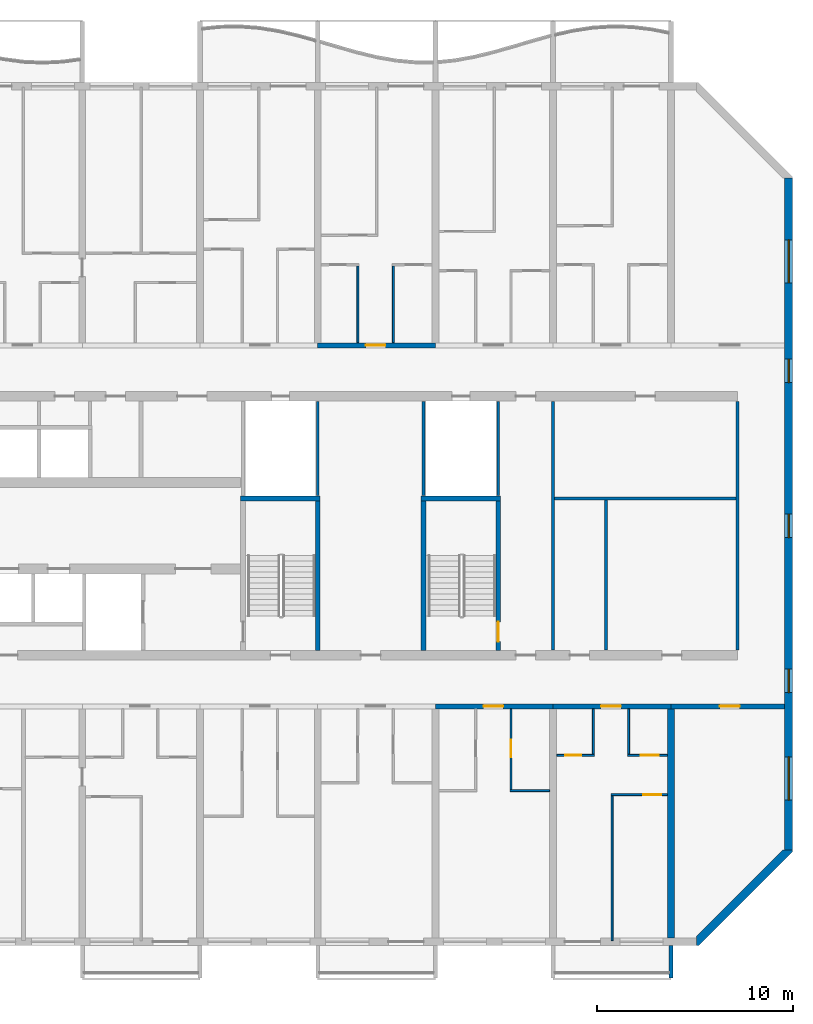
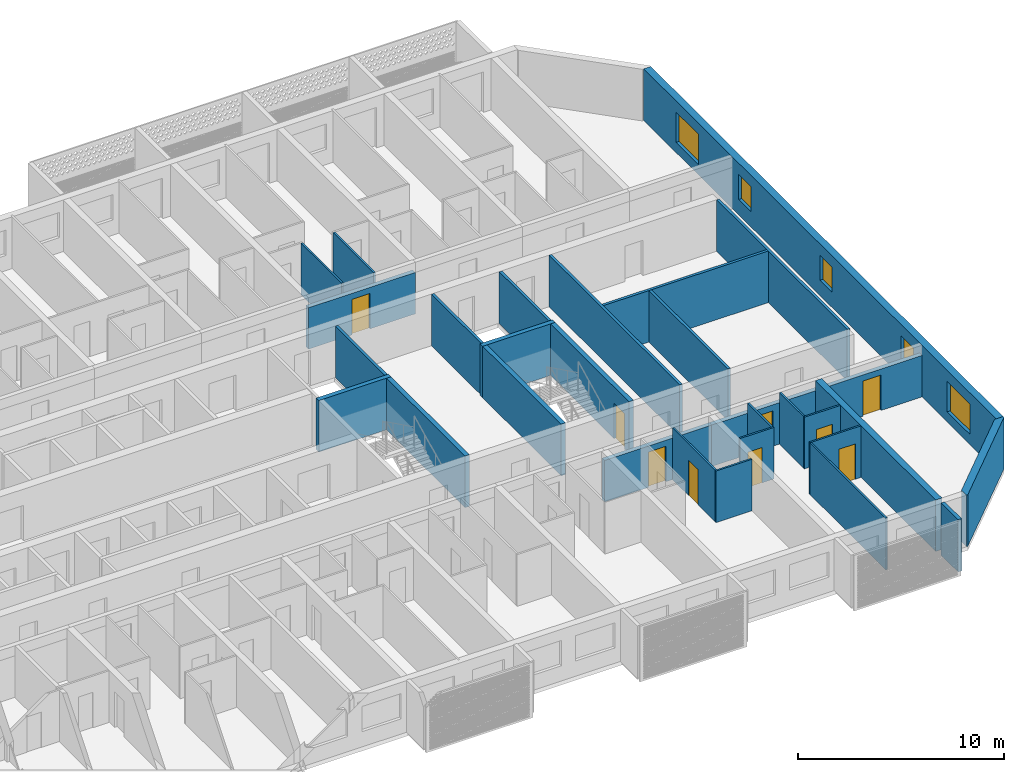
# One storey, part 14 of 30: 30 walls, 9 doors, 5 windows, 14 openings.
"""IFC4 building model written with IfcOpenShell, lengths in metres."""

from ifc_helpers import new_model, si_unit, direction, frame, frame_2d, origin, place, context, subcontext, project, spatial, polyline, rectangle, outline, extrude, source, transform, mapped, material, layer, layer_set, type_object, element, fill, save


model = new_model("IFC4")

# Units and contexts
model_context = context("Model", 3, precision=1e-05, world=origin(), true_north=direction((0.0, 1.0)))
body_context = subcontext(model_context, "Body", "Model", "MODEL_VIEW")
ifc_project = project(units=[si_unit("LENGTHUNIT", "METRE"), si_unit("AREAUNIT", "SQUARE_METRE"), si_unit("VOLUMEUNIT", "CUBIC_METRE"), si_unit("PLANEANGLEUNIT", "RADIAN"), si_unit("MASSUNIT", "GRAM", prefix="KILO")], contexts=[model_context])

# Site, building, storey
site_placement = place(None, origin())
site = spatial("IfcSite", under=ifc_project, at=site_placement, CompositionType="ELEMENT")
building_placement = place(site_placement, origin())
building = spatial("IfcBuilding", under=site, at=building_placement, Name="Poui Terraces", CompositionType="ELEMENT")
storey_placement = place(building_placement, frame((0.0, 0.0, 99.300048828125)))
storey = spatial("IfcBuildingStorey", under=building, at=storey_placement, Name="L27", CompositionType="ELEMENT", Elevation=99.300048828125)

# Walls
ifc_material_1 = material(Name="Fire-rated plasterboard wall")
ifc_layer_1 = layer(ifc_material_1, 0.14990234375)
ifc_layer_set_1 = layer_set([ifc_layer_1], Name="Fire-rated plasterboard wall")
wall_type_1 = type_object("IfcWallType", Name="CORRIDOR WALL 150", PredefinedType="PARTITIONING", material=ifc_layer_set_1)
for number, where, z_axis, x_axis, name in (
    (1, (84.0, 14.860107421875, 0.0), (0.0, 0.0, 1.0), (0.0, 1.0, 0.0), "CORRIDOR WALL 150"),
    (2, (93.39990234375, 14.860107421875, 0.0), (0.0, 0.0, 1.0), (0.0, 1.0, 0.0), "CORRIDOR WALL 150"),
):
    element("IfcWall", number, at=place(storey_placement, frame(where, z_axis=z_axis, x_axis=x_axis)), inside=storey, type_object=wall_type_1, Name=name, PredefinedType="PARTITIONING", context=body_context, shape_type="SweptSolid", body=[
        extrude(rectangle(XDim=12.679931640625, YDim=0.14990234375, at=frame_2d((6.33984375, 0.0))), origin(), (0.0, 0.0, 1.0), 3.06005859375),
    ])

# Wall, opening, door
ifc_material_2 = material(Name="Concrete 65 MPa", Category="concrete")
ifc_layer_2 = layer(ifc_material_2, 0.25)
ifc_layer_set_2 = layer_set([ifc_layer_2], Name="Concrete 65 MPa")
wall_type_2 = type_object("IfcWallType", Name="CORRIDOR WALL 250 65MPa", PredefinedType="SHEAR", material=ifc_layer_set_2)
wall_1_placement = place(storey_placement, frame((78.0, 12.0, 0.0), z_axis=(0.0, 0.0, 1.0), x_axis=(1.0, 0.0, 0.0)))
wall_1 = element("IfcWall", 3, at=wall_1_placement, inside=storey, type_object=wall_type_2, Name="CORRIDOR WALL LINE B BAY 13", PredefinedType="SHEAR", context=body_context, shape_type="SweptSolid", body=[
    extrude(rectangle(XDim=6.0, YDim=0.25, at=frame_2d((3.0, 0.0))), origin(), (0.0, 0.0, 1.0), 2.4599609375),
])
opening_1_placement = place(wall_1_placement, frame((2.449951171875, 0.0, 0.0)))
opening_1 = element("IfcOpeningElement", 4, at=opening_1_placement, cuts=wall_1, Name="Opening FD30S", PredefinedType="OPENING", context=body_context, shape_type="SweptSolid", body=[
    extrude(rectangle(XDim=1.0, YDim=2.10009765625, at=frame_2d((0.5, 1.050048828125))), frame((0.0, 0.135009765625, 0.0), z_axis=(0.0, -1.0, 0.0), x_axis=(1.0, 0.0, 0.0)), (0.0, 0.0, 1.0), 0.27001953125),
])
ifc_material_3 = material(Name="Steel fire door", Category="steel")
door_type_1 = type_object("IfcDoorType", Name="FLAT ENTRANCE DOOR 1000 X 2100", OperationType="NOTDEFINED", PredefinedType="DOOR", material=ifc_material_3)
door_1_placement = place(opening_1_placement, frame((1.0, 0.0, 0.0), z_axis=(0.0, 0.0, 1.0), x_axis=(-1.0, 0.0, 0.0)))
door_1 = element("IfcDoor", 5, at=door_1_placement, inside=storey, type_object=door_type_1, Name="FLAT ENTRANCE DOOR 125", OperationType="SINGLE_SWING_RIGHT", OverallHeight=2.10009765625, OverallWidth=1.0, PredefinedType="DOOR", context=body_context, shape_type="SweptSolid", body=[
    extrude(rectangle(XDim=1.0, YDim=2.10009765625, at=frame_2d((0.5, 1.050048828125))), frame((0.0, 0.02490234375, 0.0), z_axis=(0.0, -1.0, 0.0), x_axis=(1.0, 0.0, 0.0)), (0.0, 0.0, 1.0), 0.050048828125),
])
fill(opening_1, door_1)

wall_2_placement = place(storey_placement, frame((84.0, 12.0, 0.0), z_axis=(0.0, 0.0, 1.0), x_axis=(1.0, 0.0, 0.0)))
wall_2 = element("IfcWall", 6, at=wall_2_placement, inside=storey, type_object=wall_type_2, Name="CORRIDOR WALL LINE B BAY 14", PredefinedType="SHEAR", context=body_context, shape_type="SweptSolid", body=[
    extrude(rectangle(XDim=6.0, YDim=0.25, at=frame_2d((3.0, 0.0))), origin(), (0.0, 0.0, 1.0), 2.4599609375),
])
opening_2_placement = place(wall_2_placement, frame((2.449951171875, 0.0, 0.0)))
opening_2 = element("IfcOpeningElement", 7, at=opening_2_placement, cuts=wall_2, Name="Opening FD30S", PredefinedType="OPENING", context=body_context, shape_type="SweptSolid", body=[
    extrude(rectangle(XDim=1.0, YDim=2.10009765625, at=frame_2d((0.5, 1.050048828125))), frame((0.0, 0.135009765625, 0.0), z_axis=(0.0, -1.0, 0.0), x_axis=(1.0, 0.0, 0.0)), (0.0, 0.0, 1.0), 0.27001953125),
])
door_2_placement = place(opening_2_placement, frame((1.0, 0.0, 0.0), z_axis=(0.0, 0.0, 1.0), x_axis=(-1.0, 0.0, 0.0)))
door_2 = element("IfcDoor", 8, at=door_2_placement, inside=storey, type_object=door_type_1, Name="FLAT ENTRANCE DOOR 128", OperationType="SINGLE_SWING_RIGHT", OverallHeight=2.10009765625, OverallWidth=1.0, PredefinedType="DOOR", context=body_context, shape_type="SweptSolid", body=[
    extrude(rectangle(XDim=1.0, YDim=2.10009765625, at=frame_2d((0.5, 1.050048828125))), frame((0.0, 0.02490234375, 0.0), z_axis=(0.0, -1.0, 0.0), x_axis=(1.0, 0.0, 0.0)), (0.0, 0.0, 1.0), 0.050048828125),
])
fill(opening_2, door_2)

wall_3_placement = place(storey_placement, frame((90.0, 12.0, 0.0), z_axis=(0.0, 0.0, 1.0), x_axis=(1.0, 0.0, 0.0)))
wall_3 = element("IfcWall", 9, at=wall_3_placement, inside=storey, type_object=wall_type_2, Name="CORRIDOR WALL LINE B BAY 15", PredefinedType="SHEAR", context=body_context, shape_type="SweptSolid", body=[
    extrude(rectangle(XDim=5.800048828125, YDim=0.25, at=frame_2d((2.89990234375, 0.0))), origin(), (0.0, 0.0, 1.0), 2.4599609375),
])
opening_3_placement = place(wall_3_placement, frame((2.5, 0.0, 0.0)))
opening_3 = element("IfcOpeningElement", 10, at=opening_3_placement, cuts=wall_3, Name="Opening D100", PredefinedType="OPENING", context=body_context, shape_type="SweptSolid", body=[
    extrude(rectangle(XDim=1.0, YDim=2.10009765625, at=frame_2d((0.5, 1.050048828125))), frame((0.0, 0.135009765625, 0.0), z_axis=(0.0, -1.0, 0.0), x_axis=(1.0, 0.0, 0.0)), (0.0, 0.0, 1.0), 0.27001953125),
])
ifc_material_4 = material(Name="Solid core timber door", Category="wood")
door_type_2 = type_object("IfcDoorType", Name="ACCESSIBLE INTERNAL DOOR 1000 X 2100", OperationType="NOTDEFINED", PredefinedType="DOOR", material=ifc_material_4)
door_3_placement = place(opening_3_placement, frame((1.0, 0.0, 0.0), z_axis=(0.0, 0.0, 1.0), x_axis=(-1.0, 0.0, 0.0)))
door_3 = element("IfcDoor", 11, at=door_3_placement, inside=storey, type_object=door_type_2, Name="ACCESSIBLE INTERNAL DOOR 131", OperationType="SINGLE_SWING_RIGHT", OverallHeight=2.10009765625, OverallWidth=1.0, PredefinedType="DOOR", context=body_context, shape_type="SweptSolid", body=[
    extrude(rectangle(XDim=1.0, YDim=2.10009765625, at=frame_2d((0.5, 1.050048828125))), frame((0.0, 0.02490234375, 0.0), z_axis=(0.0, -1.0, 0.0), x_axis=(1.0, 0.0, 0.0)), (0.0, 0.0, 1.0), 0.050048828125),
])
fill(opening_3, door_3)

wall_4_placement = place(storey_placement, frame((72.0, 30.39990234375, 0.0), z_axis=(0.0, 0.0, 1.0), x_axis=(1.0, 0.0, 0.0)))
wall_4 = element("IfcWall", 12, at=wall_4_placement, inside=storey, type_object=wall_type_2, Name="CORRIDOR WALL LINE E BAY 12", PredefinedType="SHEAR", context=body_context, shape_type="SweptSolid", body=[
    extrude(rectangle(XDim=6.0, YDim=0.25, at=frame_2d((3.0, 0.0))), origin(), (0.0, 0.0, 1.0), 2.4599609375),
])
opening_4_placement = place(wall_4_placement, frame((2.449951171875, 0.0, 0.0)))
opening_4 = element("IfcOpeningElement", 13, at=opening_4_placement, cuts=wall_4, Name="Opening FD30S", PredefinedType="OPENING", context=body_context, shape_type="SweptSolid", body=[
    extrude(rectangle(XDim=1.0, YDim=2.10009765625, at=frame_2d((0.5, 1.050048828125))), frame((0.0, 0.135009765625, 0.0), z_axis=(0.0, -1.0, 0.0), x_axis=(1.0, 0.0, 0.0)), (0.0, 0.0, 1.0), 0.27001953125),
])
door_4_placement = place(opening_4_placement, origin())
door_4 = element("IfcDoor", 14, at=door_4_placement, inside=storey, type_object=door_type_1, Name="FLAT ENTRANCE DOOR 072", OperationType="SINGLE_SWING_LEFT", OverallHeight=2.10009765625, OverallWidth=1.0, PredefinedType="DOOR", context=body_context, shape_type="SweptSolid", body=[
    extrude(rectangle(XDim=1.0, YDim=2.10009765625, at=frame_2d((0.5, 1.050048828125))), frame((0.0, 0.02490234375, 0.0), z_axis=(0.0, -1.0, 0.0), x_axis=(1.0, 0.0, 0.0)), (0.0, 0.0, 1.0), 0.050048828125),
])
fill(opening_4, door_4)

# Wall
ifc_layer_3 = layer(ifc_material_2, 0.35009765625)
ifc_layer_set_3 = layer_set([ifc_layer_3], Name="Concrete 65 MPa")
wall_type_3 = type_object("IfcWallType", Name="CROSS WALL 350 65MPa", PredefinedType="SHEAR", material=ifc_layer_set_3)
wall_5_placement = place(storey_placement, frame((90.0, 0.199951171875, 0.0), z_axis=(0.0, 0.0, 1.0), x_axis=(0.0, 1.0, 0.0)))
element("IfcWall", 15, at=wall_5_placement, inside=storey, type_object=wall_type_3, Name="CROSS WALL LINE 16 SOUTH", PredefinedType="SHEAR", context=body_context, shape_type="SweptSolid", body=[
    extrude(rectangle(XDim=11.675048828125, YDim=0.35009765625, at=frame_2d((5.83740234375, 0.0))), origin(), (0.0, 0.0, 1.0), 3.06005859375),
])

# Wall, openings, windows
ifc_layer_4 = layer(ifc_material_2, 0.39990234375)
ifc_layer_set_4 = layer_set([ifc_layer_4], Name="Concrete 65 MPa")
wall_type_4 = type_object("IfcWallType", Name="END WALL 400 65MPa", PredefinedType="SHEAR", material=ifc_layer_set_4)
wall_6_placement = place(storey_placement, frame((96.0, 4.682861328125, 0.0), z_axis=(0.0, 0.0, 1.0), x_axis=(0.0, 1.0, 0.0)))
wall_6 = element("IfcWall", 16, at=wall_6_placement, inside=storey, type_object=wall_type_4, Name="END WALL EAST", PredefinedType="SHEAR", context=body_context, shape_type="SweptSolid", body=[
    extrude(rectangle(XDim=34.234375, YDim=0.39990234375, at=frame_2d((17.1171875, 0.0))), origin(), (0.0, 0.0, 1.0), 3.06005859375),
])
opening_5_placement = place(wall_6_placement, frame((15.917236328125, 0.0, 0.89990234375)))
opening_5 = element("IfcOpeningElement", 17, at=opening_5_placement, cuts=wall_6, Name="Opening W2", PredefinedType="OPENING", context=body_context, shape_type="SweptSolid", body=[
    extrude(rectangle(XDim=1.199951171875, YDim=1.5, at=frame_2d((0.60009765625, 0.75))), frame((0.0, 0.2099609375, 0.0), z_axis=(0.0, -1.0, 0.0), x_axis=(1.0, 0.0, 0.0)), (0.0, 0.0, 1.0), 0.419921875),
])
opening_6_placement = place(wall_6_placement, frame((23.817138671875, 0.0, 0.89990234375)))
opening_6 = element("IfcOpeningElement", 18, at=opening_6_placement, cuts=wall_6, Name="Opening W2", PredefinedType="OPENING", context=body_context, shape_type="SweptSolid", body=[
    extrude(rectangle(XDim=1.199951171875, YDim=1.5, at=frame_2d((0.60009765625, 0.75))), frame((0.0, 0.2099609375, 0.0), z_axis=(0.0, -1.0, 0.0), x_axis=(1.0, 0.0, 0.0)), (0.0, 0.0, 1.0), 0.419921875),
])
opening_7_placement = place(wall_6_placement, frame((8.01708984375, 0.0, 0.89990234375)))
opening_7 = element("IfcOpeningElement", 19, at=opening_7_placement, cuts=wall_6, Name="Opening W2", PredefinedType="OPENING", context=body_context, shape_type="SweptSolid", body=[
    extrude(rectangle(XDim=1.199951171875, YDim=1.5, at=frame_2d((0.60009765625, 0.75))), frame((0.0, 0.2099609375, 0.0), z_axis=(0.0, -1.0, 0.0), x_axis=(1.0, 0.0, 0.0)), (0.0, 0.0, 1.0), 0.419921875),
])
opening_8_placement = place(wall_6_placement, frame((28.8935546875, 0.0, 0.60009765625)))
opening_8 = element("IfcOpeningElement", 20, at=opening_8_placement, cuts=wall_6, Name="Opening W3", PredefinedType="OPENING", context=body_context, shape_type="SweptSolid", body=[
    extrude(rectangle(XDim=2.199951171875, YDim=1.800048828125, at=frame_2d((1.10009765625, 0.89990234375))), frame((0.0, 0.2099609375, 0.0), z_axis=(0.0, -1.0, 0.0), x_axis=(1.0, 0.0, 0.0)), (0.0, 0.0, 1.0), 0.419921875),
])
opening_9_placement = place(wall_6_placement, frame((2.541015625, 0.0, 0.60009765625)))
opening_9 = element("IfcOpeningElement", 21, at=opening_9_placement, cuts=wall_6, Name="Opening W3", PredefinedType="OPENING", context=body_context, shape_type="SweptSolid", body=[
    extrude(rectangle(XDim=2.199951171875, YDim=1.800048828125, at=frame_2d((1.10009765625, 0.89990234375))), frame((0.0, 0.2099609375, 0.0), z_axis=(0.0, -1.0, 0.0), x_axis=(1.0, 0.0, 0.0)), (0.0, 0.0, 1.0), 0.419921875),
])
ifc_material_5 = material(Name="Clear glass in aluminium frame", Category="aluminium")
window_type_1 = type_object("IfcWindowType", Name="WINDOW 1200X1500", PartitioningType="SINGLE_PANEL", PredefinedType="WINDOW", material=ifc_material_5)
window_1_placement = place(opening_5_placement, origin())
window_1 = element("IfcWindow", 22, at=window_1_placement, inside=storey, type_object=window_type_1, Name="W2 WINDOW", OverallHeight=1.5, OverallWidth=1.199951171875, PartitioningType="SINGLE_PANEL", PredefinedType="WINDOW", context=body_context, shape_type="SweptSolid", body=[
    extrude(rectangle(XDim=1.199951171875, YDim=1.5, at=frame_2d((0.60009765625, 0.75))), frame((0.0, 0.030029296875, 0.0), z_axis=(0.0, -1.0, 0.0), x_axis=(1.0, 0.0, 0.0)), (0.0, 0.0, 1.0), 0.06005859375),
])
fill(opening_5, window_1)
window_2_placement = place(opening_6_placement, origin())
window_2 = element("IfcWindow", 23, at=window_2_placement, inside=storey, type_object=window_type_1, Name="W2 WINDOW", OverallHeight=1.5, OverallWidth=1.199951171875, PartitioningType="SINGLE_PANEL", PredefinedType="WINDOW", context=body_context, shape_type="SweptSolid", body=[
    extrude(rectangle(XDim=1.199951171875, YDim=1.5, at=frame_2d((0.60009765625, 0.75))), frame((0.0, 0.030029296875, 0.0), z_axis=(0.0, -1.0, 0.0), x_axis=(1.0, 0.0, 0.0)), (0.0, 0.0, 1.0), 0.06005859375),
])
fill(opening_6, window_2)
window_3_placement = place(opening_7_placement, origin())
window_3 = element("IfcWindow", 24, at=window_3_placement, inside=storey, type_object=window_type_1, Name="W2 WINDOW", OverallHeight=1.5, OverallWidth=1.199951171875, PartitioningType="SINGLE_PANEL", PredefinedType="WINDOW", context=body_context, shape_type="SweptSolid", body=[
    extrude(rectangle(XDim=1.199951171875, YDim=1.5, at=frame_2d((0.60009765625, 0.75))), frame((0.0, 0.030029296875, 0.0), z_axis=(0.0, -1.0, 0.0), x_axis=(1.0, 0.0, 0.0)), (0.0, 0.0, 1.0), 0.06005859375),
])
fill(opening_7, window_3)
window_type_2 = type_object("IfcWindowType", Name="WINDOW 2200X1800", PartitioningType="DOUBLE_PANEL_HORIZONTAL", PredefinedType="WINDOW", material=ifc_material_5)
window_4_placement = place(opening_8_placement, origin())
window_4 = element("IfcWindow", 25, at=window_4_placement, inside=storey, type_object=window_type_2, Name="W3 WINDOW", OverallHeight=1.800048828125, OverallWidth=2.199951171875, PartitioningType="DOUBLE_PANEL_HORIZONTAL", PredefinedType="WINDOW", context=body_context, shape_type="SweptSolid", body=[
    extrude(rectangle(XDim=2.199951171875, YDim=1.800048828125, at=frame_2d((1.10009765625, 0.89990234375))), frame((0.0, 0.030029296875, 0.0), z_axis=(0.0, -1.0, 0.0), x_axis=(1.0, 0.0, 0.0)), (0.0, 0.0, 1.0), 0.06005859375),
])
fill(opening_8, window_4)
window_5_placement = place(opening_9_placement, origin())
window_5 = element("IfcWindow", 26, at=window_5_placement, inside=storey, type_object=window_type_2, Name="W3 WINDOW", OverallHeight=1.800048828125, OverallWidth=2.199951171875, PartitioningType="DOUBLE_PANEL_HORIZONTAL", PredefinedType="WINDOW", context=body_context, shape_type="SweptSolid", body=[
    extrude(rectangle(XDim=2.199951171875, YDim=1.800048828125, at=frame_2d((1.10009765625, 0.89990234375))), frame((0.0, 0.030029296875, 0.0), z_axis=(0.0, -1.0, 0.0), x_axis=(1.0, 0.0, 0.0)), (0.0, 0.0, 1.0), 0.06005859375),
])
fill(opening_9, window_5)

# Wall, opening, door
ifc_material_6 = material(Name="Plasterboard partition")
ifc_layer_5 = layer(ifc_material_6, 0.10009765625)
ifc_layer_set_5 = layer_set([ifc_layer_5], Name="Plasterboard partition")
wall_type_5 = type_object("IfcWallType", Name="FLAT PARTITION 100", PredefinedType="PARTITIONING", material=ifc_layer_set_5)
wall_7_placement = place(storey_placement, frame((86.949951171875, 7.5, 0.0), z_axis=(0.0, 0.0, 1.0), x_axis=(1.0, 0.0, 0.0)))
wall_7 = element("IfcWall", 27, at=wall_7_placement, inside=storey, type_object=wall_type_5, Name="FLAT PARTITION 100", PredefinedType="PARTITIONING", context=body_context, shape_type="SweptSolid", body=[
    extrude(rectangle(XDim=2.864990234375, YDim=0.10009765625, at=frame_2d((1.4326171875, 0.0))), origin(), (0.0, 0.0, 1.0), 3.06005859375),
])
opening_10_placement = place(wall_7_placement, frame((1.64990234375, 0.0, 0.0)))
opening_10 = element("IfcOpeningElement", 28, at=opening_10_placement, cuts=wall_7, Name="Opening D90", PredefinedType="OPENING", context=body_context, shape_type="SweptSolid", body=[
    extrude(rectangle(XDim=0.89990234375, YDim=2.10009765625, at=frame_2d((0.449951171875, 1.050048828125))), frame((0.0, 0.06005859375, 0.0), z_axis=(0.0, -1.0, 0.0), x_axis=(1.0, 0.0, 0.0)), (0.0, 0.0, 1.0), 0.1201171875),
])
door_type_3 = type_object("IfcDoorType", Name="INTERNAL DOOR 900 X 2100", OperationType="NOTDEFINED", PredefinedType="DOOR", material=ifc_material_4)
door_5_placement = place(opening_10_placement, origin())
door_5 = element("IfcDoor", 29, at=door_5_placement, inside=storey, type_object=door_type_3, Name="INTERNAL DOOR 130", OperationType="SINGLE_SWING_LEFT", OverallHeight=2.10009765625, OverallWidth=0.89990234375, PredefinedType="DOOR", context=body_context, shape_type="SweptSolid", body=[
    extrude(rectangle(XDim=0.89990234375, YDim=2.10009765625, at=frame_2d((0.449951171875, 1.050048828125))), frame((0.0, 0.02490234375, 0.0), z_axis=(0.0, -1.0, 0.0), x_axis=(1.0, 0.0, 0.0)), (0.0, 0.0, 1.0), 0.050048828125),
])
fill(opening_10, door_5)

# Wall
wall_8_placement = place(storey_placement, frame((81.800048828125, 7.699951171875, 0.0), z_axis=(0.0, 0.0, 1.0), x_axis=(1.0, 0.0, 0.0)))
element("IfcWall", 30, at=wall_8_placement, inside=storey, type_object=wall_type_5, Name="FLAT PARTITION 100", PredefinedType="PARTITIONING", context=body_context, shape_type="SweptSolid", body=[
    extrude(rectangle(XDim=2.014892578125, YDim=0.10009765625, at=frame_2d((1.00732421875, 0.0))), origin(), (0.0, 0.0, 1.0), 3.06005859375),
])

# Wall, opening, door
wall_9_placement = place(storey_placement, frame((84.18505859375, 9.5, 0.0), z_axis=(0.0, 0.0, 1.0), x_axis=(1.0, 0.0, 0.0)))
wall_9 = element("IfcWall", 31, at=wall_9_placement, inside=storey, type_object=wall_type_5, Name="FLAT PARTITION 100", PredefinedType="PARTITIONING", context=body_context, shape_type="SweptSolid", body=[
    extrude(rectangle(XDim=1.9150390625, YDim=0.10009765625, at=frame_2d((0.95751953125, 0.0))), origin(), (0.0, 0.0, 1.0), 3.06005859375),
])
opening_11_placement = place(wall_9_placement, frame((0.43994140625, 0.0, 0.0)))
opening_11 = element("IfcOpeningElement", 32, at=opening_11_placement, cuts=wall_9, Name="Opening D80", PredefinedType="OPENING", context=body_context, shape_type="SweptSolid", body=[
    extrude(rectangle(XDim=0.800048828125, YDim=2.10009765625, at=frame_2d((0.39990234375, 1.050048828125))), frame((0.0, 0.06005859375, 0.0), z_axis=(0.0, -1.0, 0.0), x_axis=(1.0, 0.0, 0.0)), (0.0, 0.0, 1.0), 0.1201171875),
])
door_type_4 = type_object("IfcDoorType", Name="BATHROOM, LAUNDRY AND STORE DOOR 800 X 2100", OperationType="NOTDEFINED", PredefinedType="DOOR", material=ifc_material_4)
door_6_placement = place(opening_11_placement, origin())
door_6 = element("IfcDoor", 33, at=door_6_placement, inside=storey, type_object=door_type_4, Name="BATHROOM, LAUNDRY AND STORE DOOR 127", OperationType="SINGLE_SWING_LEFT", OverallHeight=2.10009765625, OverallWidth=0.800048828125, PredefinedType="DOOR", context=body_context, shape_type="SweptSolid", body=[
    extrude(rectangle(XDim=0.800048828125, YDim=2.10009765625, at=frame_2d((0.39990234375, 1.050048828125))), frame((0.0, 0.02490234375, 0.0), z_axis=(0.0, -1.0, 0.0), x_axis=(1.0, 0.0, 0.0)), (0.0, 0.0, 1.0), 0.050048828125),
])
fill(opening_11, door_6)

wall_10_placement = place(storey_placement, frame((87.800048828125, 9.5, 0.0), z_axis=(0.0, 0.0, 1.0), x_axis=(1.0, 0.0, 0.0)))
wall_10 = element("IfcWall", 34, at=wall_10_placement, inside=storey, type_object=wall_type_5, Name="FLAT PARTITION 100", PredefinedType="PARTITIONING", context=body_context, shape_type="SweptSolid", body=[
    extrude(rectangle(XDim=2.014892578125, YDim=0.10009765625, at=frame_2d((1.00732421875, 0.0))), origin(), (0.0, 0.0, 1.0), 3.06005859375),
])
opening_12_placement = place(wall_10_placement, frame((0.675048828125, 0.0, 0.0)))
opening_12 = element("IfcOpeningElement", 35, at=opening_12_placement, cuts=wall_10, Name="Opening D90", PredefinedType="OPENING", context=body_context, shape_type="SweptSolid", body=[
    extrude(rectangle(XDim=0.89990234375, YDim=2.10009765625, at=frame_2d((0.449951171875, 1.050048828125))), frame((0.0, 0.06005859375, 0.0), z_axis=(0.0, -1.0, 0.0), x_axis=(1.0, 0.0, 0.0)), (0.0, 0.0, 1.0), 0.1201171875),
])
door_7_placement = place(opening_12_placement, origin())
door_7 = element("IfcDoor", 36, at=door_7_placement, inside=storey, type_object=door_type_3, Name="INTERNAL DOOR 129", OperationType="SINGLE_SWING_RIGHT", OverallHeight=2.10009765625, OverallWidth=0.89990234375, PredefinedType="DOOR", context=body_context, shape_type="SweptSolid", body=[
    extrude(rectangle(XDim=0.89990234375, YDim=2.10009765625, at=frame_2d((0.449951171875, 1.050048828125))), frame((0.0, 0.02490234375, 0.0), z_axis=(0.0, -1.0, 0.0), x_axis=(1.0, 0.0, 0.0)), (0.0, 0.0, 1.0), 0.050048828125),
])
fill(opening_12, door_7)

# Walls
for number, where, z_axis, x_axis, name in (
    (37, (74.050048828125, 30.534912109375, 0.0), (0.0, 0.0, 1.0), (0.0, 1.0, 0.0), "FLAT PARTITION 100"),
    (38, (75.85009765625, 30.534912109375, 0.0), (0.0, 0.0, 1.0), (0.0, 1.0, 0.0), "FLAT PARTITION 100"),
):
    element("IfcWall", number, at=place(storey_placement, frame(where, z_axis=z_axis, x_axis=x_axis)), inside=storey, type_object=wall_type_5, Name=name, PredefinedType="PARTITIONING", context=body_context, shape_type="SweptSolid", body=[
        extrude(rectangle(XDim=3.9150390625, YDim=0.10009765625, at=frame_2d((1.95751953125, 0.0))), origin(), (0.0, 0.0, 1.0), 3.06005859375),
    ])

# Wall, opening, door
wall_11_placement = place(storey_placement, frame((81.85009765625, 7.75, 0.0), z_axis=(0.0, 0.0, 1.0), x_axis=(0.0, 1.0, 0.0)))
wall_11 = element("IfcWall", 39, at=wall_11_placement, inside=storey, type_object=wall_type_5, Name="FLAT PARTITION 100", PredefinedType="PARTITIONING", context=body_context, shape_type="SweptSolid", body=[
    extrude(rectangle(XDim=4.114990234375, YDim=0.10009765625, at=frame_2d((2.0576171875, 0.0))), origin(), (0.0, 0.0, 1.0), 3.06005859375),
])
opening_13_placement = place(wall_11_placement, frame((1.64990234375, 0.0, 0.0)))
opening_13 = element("IfcOpeningElement", 40, at=opening_13_placement, cuts=wall_11, Name="Opening D90", PredefinedType="OPENING", context=body_context, shape_type="SweptSolid", body=[
    extrude(rectangle(XDim=0.89990234375, YDim=2.10009765625, at=frame_2d((0.449951171875, 1.050048828125))), frame((0.0, 0.06005859375, 0.0), z_axis=(0.0, -1.0, 0.0), x_axis=(1.0, 0.0, 0.0)), (0.0, 0.0, 1.0), 0.1201171875),
])
door_8_placement = place(opening_13_placement, frame((0.89990234375, 0.0, 0.0), z_axis=(0.0, 0.0, 1.0), x_axis=(-1.0, 0.0, 0.0)))
door_8 = element("IfcDoor", 41, at=door_8_placement, inside=storey, type_object=door_type_3, Name="INTERNAL DOOR 126", OperationType="SINGLE_SWING_LEFT", OverallHeight=2.10009765625, OverallWidth=0.89990234375, PredefinedType="DOOR", context=body_context, shape_type="SweptSolid", body=[
    extrude(rectangle(XDim=0.89990234375, YDim=2.10009765625, at=frame_2d((0.449951171875, 1.050048828125))), frame((0.0, 0.02490234375, 0.0), z_axis=(0.0, -1.0, 0.0), x_axis=(1.0, 0.0, 0.0)), (0.0, 0.0, 1.0), 0.050048828125),
])
fill(opening_13, door_8)

# Walls
wall_12_placement = place(storey_placement, frame((86.050048828125, 9.550048828125, 0.0), z_axis=(0.0, 0.0, 1.0), x_axis=(0.0, 1.0, 0.0)))
element("IfcWall", 42, at=wall_12_placement, inside=storey, type_object=wall_type_5, Name="FLAT PARTITION 100", PredefinedType="PARTITIONING", context=body_context, shape_type="SweptSolid", body=[
    extrude(rectangle(XDim=2.31494140625, YDim=0.10009765625, at=frame_2d((1.157470703125, 0.0))), origin(), (0.0, 0.0, 1.0), 3.06005859375),
])
wall_13_placement = place(storey_placement, frame((87.0, 0.06005859375, 0.0), z_axis=(0.0, 0.0, 1.0), x_axis=(0.0, 1.0, 0.0)))
element("IfcWall", 43, at=wall_13_placement, inside=storey, type_object=wall_type_5, Name="FLAT PARTITION 100", PredefinedType="PARTITIONING", context=body_context, shape_type="SweptSolid", body=[
    extrude(rectangle(XDim=7.389892578125, YDim=0.10009765625, at=frame_2d((3.69482421875, 0.0))), origin(), (0.0, 0.0, 1.0), 3.06005859375),
])
wall_14_placement = place(storey_placement, frame((87.85009765625, 9.550048828125, 0.0), z_axis=(0.0, 0.0, 1.0), x_axis=(0.0, 1.0, 0.0)))
element("IfcWall", 44, at=wall_14_placement, inside=storey, type_object=wall_type_5, Name="FLAT PARTITION 100", PredefinedType="PARTITIONING", context=body_context, shape_type="SweptSolid", body=[
    extrude(rectangle(XDim=2.31494140625, YDim=0.10009765625, at=frame_2d((1.157470703125, 0.0))), origin(), (0.0, 0.0, 1.0), 3.06005859375),
])
ifc_layer_6 = layer(ifc_material_6, 0.14990234375)
ifc_layer_set_6 = layer_set([ifc_layer_6], Name="Plasterboard partition")
wall_type_6 = type_object("IfcWallType", Name="PARTITION WALL 150", PredefinedType="PARTITIONING", material=ifc_layer_set_6)
wall_15_placement = place(storey_placement, frame((84.074951171875, 22.60009765625, 0.0), z_axis=(0.0, 0.0, 1.0), x_axis=(1.0, 0.0, 0.0)))
element("IfcWall", 45, at=wall_15_placement, inside=storey, type_object=wall_type_6, Name="PARTITION WALL 150", PredefinedType="PARTITIONING", context=body_context, shape_type="SweptSolid", body=[
    extrude(rectangle(XDim=9.25, YDim=0.14990234375, at=frame_2d((4.625, 0.0))), origin(), (0.0, 0.0, 1.0), 3.06005859375),
])
wall_16_placement = place(storey_placement, frame((86.699951171875, 14.860107421875, 0.0), z_axis=(0.0, 0.0, 1.0), x_axis=(0.0, 1.0, 0.0)))
element("IfcWall", 46, at=wall_16_placement, inside=storey, type_object=wall_type_6, Name="PARTITION WALL 150", PredefinedType="PARTITIONING", context=body_context, shape_type="SweptSolid", body=[
    extrude(rectangle(XDim=7.664794921875, YDim=0.14990234375, at=frame_2d((3.83251953125, 0.0))), origin(), (0.0, 0.0, 1.0), 3.06005859375),
])
ifc_material_7 = material(Name="Fire-rated plasterboard riser wall")
ifc_layer_7 = layer(ifc_material_7, 0.14990234375)
ifc_layer_set_7 = layer_set([ifc_layer_7], Name="Fire-rated plasterboard riser wall")
wall_type_7 = type_object("IfcWallType", Name="RISER WALL 150", PredefinedType="PARTITIONING", material=ifc_layer_set_7)
for number, where, z_axis, x_axis, name in (
    (47, (72.0, 22.735107421875, 0.0), (0.0, 0.0, 1.0), (0.0, 1.0, 0.0), "RISER WALL 150"),
    (48, (77.39990234375, 22.735107421875, 0.0), (0.0, 0.0, 1.0), (0.0, 1.0, 0.0), "RISER WALL 150"),
    (49, (81.199951171875, 22.735107421875, 0.0), (0.0, 0.0, 1.0), (0.0, 1.0, 0.0), "RISER WALL 150"),
):
    element("IfcWall", number, at=place(storey_placement, frame(where, z_axis=z_axis, x_axis=x_axis)), inside=storey, type_object=wall_type_7, Name=name, PredefinedType="PARTITIONING", context=body_context, shape_type="SweptSolid", body=[
        extrude(rectangle(XDim=4.804931640625, YDim=0.14990234375, at=frame_2d((2.40234375, 0.0))), origin(), (0.0, 0.0, 1.0), 3.06005859375),
    ])
ifc_layer_8 = layer(ifc_material_2, 0.25)
ifc_layer_set_8 = layer_set([ifc_layer_8], Name="Concrete 65 MPa")
wall_type_8 = type_object("IfcWallType", Name="STAIR CORE WALL 250 65 MPA", PredefinedType="SOLIDWALL", material=ifc_layer_set_8)
wall_17_placement = place(storey_placement, frame((72.0, 14.85009765625, 0.0), z_axis=(0.0, 0.0, 1.0), x_axis=(0.0, 1.0, 0.0)))
element("IfcWall", 50, at=wall_17_placement, inside=storey, type_object=wall_type_8, Name="STAIR CORE WALL", PredefinedType="SOLIDWALL", context=body_context, shape_type="SweptSolid", body=[
    extrude(rectangle(XDim=7.625, YDim=0.25, at=frame_2d((3.8125, 0.0))), origin(), (0.0, 0.0, 1.0), 3.06005859375),
])
wall_18_placement = place(storey_placement, frame((68.074951171875, 22.60009765625, 0.0), z_axis=(0.0, 0.0, 1.0), x_axis=(1.0, 0.0, 0.0)))
element("IfcWall", 51, at=wall_18_placement, inside=storey, type_object=wall_type_8, Name="STAIR CORE WALL", PredefinedType="SOLIDWALL", context=body_context, shape_type="SweptSolid", body=[
    extrude(rectangle(XDim=4.050048828125, YDim=0.25, at=frame_2d((2.02490234375, 0.0))), origin(), (0.0, 0.0, 1.0), 3.06005859375),
])
wall_19_placement = place(storey_placement, frame((77.39990234375, 14.85009765625, 0.0), z_axis=(0.0, 0.0, 1.0), x_axis=(0.0, 1.0, 0.0)))
element("IfcWall", 52, at=wall_19_placement, inside=storey, type_object=wall_type_8, Name="STAIR CORE WALL", PredefinedType="SOLIDWALL", context=body_context, shape_type="SweptSolid", body=[
    extrude(rectangle(XDim=7.625, YDim=0.25, at=frame_2d((3.8125, 0.0))), origin(), (0.0, 0.0, 1.0), 3.06005859375),
])

# Wall, opening, door
wall_20_placement = place(storey_placement, frame((81.199951171875, 14.85009765625, 0.0), z_axis=(0.0, 0.0, 1.0), x_axis=(0.0, 1.0, 0.0)))
wall_20 = element("IfcWall", 53, at=wall_20_placement, inside=storey, type_object=wall_type_8, Name="STAIR CORE WALL", PredefinedType="SOLIDWALL", context=body_context, shape_type="SweptSolid", body=[
    extrude(rectangle(XDim=7.625, YDim=0.25, at=frame_2d((3.8125, 0.0))), origin(), (0.0, 0.0, 1.0), 3.06005859375),
])
opening_14_placement = place(wall_20_placement, frame((0.449951171875, 0.0, 0.0)))
opening_14 = element("IfcOpeningElement", 54, at=opening_14_placement, cuts=wall_20, Name="Opening FD60S", PredefinedType="OPENING", context=body_context, shape_type="SweptSolid", body=[
    extrude(rectangle(XDim=1.0, YDim=2.10009765625, at=frame_2d((0.5, 1.050048828125))), frame((0.0, 0.135009765625, 0.0), z_axis=(0.0, -1.0, 0.0), x_axis=(1.0, 0.0, 0.0)), (0.0, 0.0, 1.0), 0.27001953125),
])
door_type_5 = type_object("IfcDoorType", Name="STAIR DOOR 1000 X 2100", OperationType="NOTDEFINED", PredefinedType="DOOR", material=ifc_material_3)
door_9_placement = place(opening_14_placement, origin())
door_9 = element("IfcDoor", 55, at=door_9_placement, inside=storey, type_object=door_type_5, Name="STAIR DOOR 147", OperationType="SINGLE_SWING_LEFT", OverallHeight=2.10009765625, OverallWidth=1.0, PredefinedType="DOOR", context=body_context, shape_type="SweptSolid", body=[
    extrude(rectangle(XDim=1.0, YDim=2.10009765625, at=frame_2d((0.5, 1.050048828125))), frame((0.0, 0.02490234375, 0.0), z_axis=(0.0, -1.0, 0.0), x_axis=(1.0, 0.0, 0.0)), (0.0, 0.0, 1.0), 0.050048828125),
])
fill(opening_14, door_9)

# Walls
wall_21_placement = place(storey_placement, frame((77.27490234375, 22.60009765625, 0.0), z_axis=(0.0, 0.0, 1.0), x_axis=(1.0, 0.0, 0.0)))
element("IfcWall", 56, at=wall_21_placement, inside=storey, type_object=wall_type_8, Name="STAIR CORE WALL", PredefinedType="SOLIDWALL", context=body_context, shape_type="SweptSolid", body=[
    extrude(rectangle(XDim=4.050048828125, YDim=0.25, at=frame_2d((2.02490234375, 0.0))), origin(), (0.0, 0.0, 1.0), 3.06005859375),
])
ifc_material_8 = material(Name="Precast concrete 40 MPa", Category="concrete")
ifc_layer_9 = layer(ifc_material_8, 0.39990234375)
ifc_layer_set_9 = layer_set([ifc_layer_9], Name="Precast concrete 40 MPa")
wall_type_9 = type_object("IfcWallType", Name="TERRACOTTA CLAD CHAMFER WALL 400", PredefinedType="STANDARD", material=ifc_layer_set_9)
wall_22_placement = place(storey_placement, origin())
element("IfcWall", 57, at=wall_22_placement, inside=storey, type_object=wall_type_9, Name="CHAMFER WALL CH01", PredefinedType="STANDARD", context=body_context, shape_type="SweptSolid", body=[
    extrude(outline(polyline([(91.317138671875, -0.199951171875), (91.39990234375, -0.199951171875), (96.199951171875, 4.60009765625), (96.199951171875, 4.682861328125), (95.71728515625, 4.682861328125), (91.317138671875, 0.28271484375), (91.317138671875, -0.199951171875)])), origin(), (0.0, 0.0, 1.0), 3.06005859375),
])
ifc_layer_10 = layer(ifc_material_8, 0.199951171875)
ifc_layer_set_10 = layer_set([ifc_layer_10], Name="Precast concrete 40 MPa")
wall_type_10 = type_object("IfcWallType", Name="REAR FIN 200", PredefinedType="STANDARD", material=ifc_layer_set_10)
shared_shape = source(origin(), body_context, "Body", "SweptSolid", [
    extrude(outline(polyline([(0.0, 0.0), (0.2001953125, 0.0), (0.2001953125, 1.650146484375), (0.0, 1.650146484375), (0.0, 0.0)])), origin(), (0.0, 0.0, 1.0), 3.099853515625),
])
wall_23_placement = place(storey_placement, frame((89.89990234375, -1.85009765625, 0.0)))
element("IfcWall", 58, at=wall_23_placement, inside=storey, type_object=wall_type_10, Name="REAR FIN", PredefinedType="STANDARD", context=body_context, shape_type="MappedRepresentation", body=[
    mapped(shared_shape, transform((0.0, 0.0, 0.0))),
])

save(model, "model.ifc")
